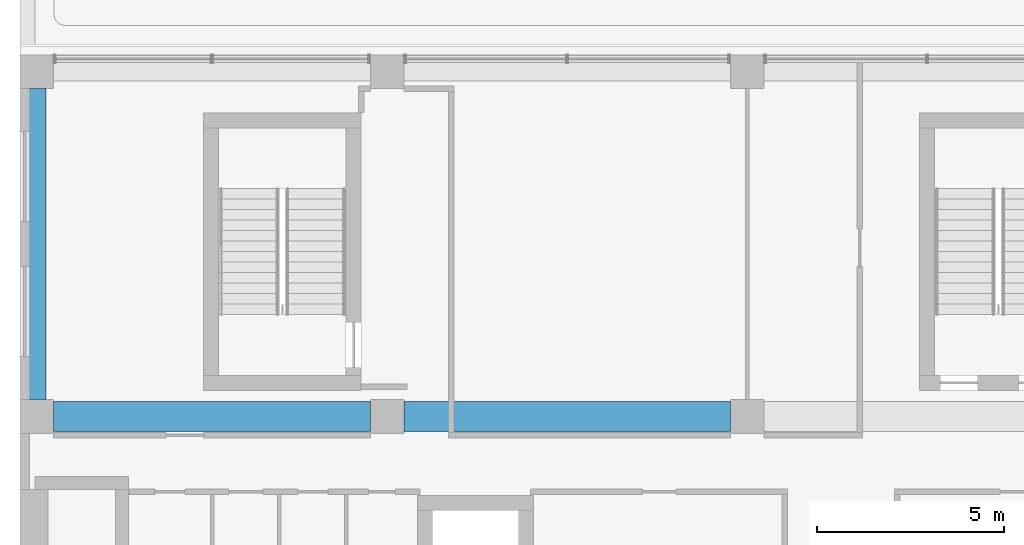
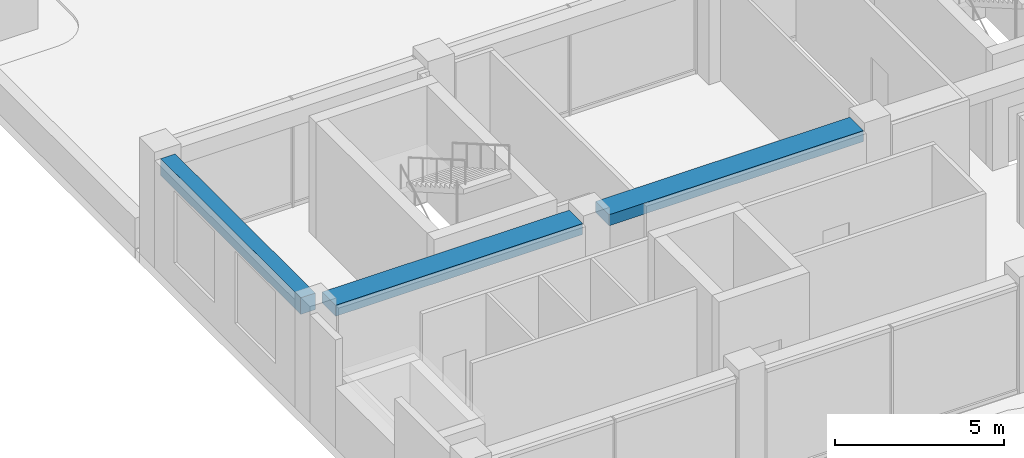
# One storey, part 20 of 72: 3 beams.
"""IFC4 building model written with IfcOpenShell, lengths in metres."""

from ifc_helpers import new_model, si_unit, direction, frame, origin, origin_2d, place, context, subcontext, project, spatial, rectangle, extrude, material, material_profile, profile_set, type_object, element, save


model = new_model("IFC4")

# Units and contexts
model_context = context("Model", 3, precision=1e-05, world=origin(), true_north=direction((0.0, 1.0)))
body_context = subcontext(model_context, "Body", "Model", "MODEL_VIEW")
ifc_project = project(units=[si_unit("LENGTHUNIT", "METRE"), si_unit("AREAUNIT", "SQUARE_METRE"), si_unit("VOLUMEUNIT", "CUBIC_METRE"), si_unit("PLANEANGLEUNIT", "RADIAN"), si_unit("MASSUNIT", "GRAM", prefix="KILO")], contexts=[model_context])

# Site, building, storey
site_placement = place(None, origin())
site = spatial("IfcSite", under=ifc_project, at=site_placement, CompositionType="ELEMENT")
building_placement = place(site_placement, origin())
building = spatial("IfcBuilding", under=site, at=building_placement, Name="Nzadi Deep Aquarium and Research Tower", CompositionType="ELEMENT")
storey_placement = place(building_placement, frame((0.0, 0.0, 31.89990234375)))
storey = spatial("IfcBuildingStorey", under=building, at=storey_placement, Name="L05", CompositionType="ELEMENT", Elevation=31.89990234375)

# Beams
ifc_material_1 = material(Name="Concrete C35/45", Category="concrete")
ifc_material_profile_1 = material_profile(ifc_material_1, rectangle(XDim=0.5, YDim=0.60009765625, at=origin_2d()))
ifc_profile_set_1 = profile_set([ifc_material_profile_1], Name="Concrete C35/45")
beam_type_1 = type_object("IfcBeamType", Name="RC 500x600", PredefinedType="BEAM", material=ifc_profile_set_1)
beam_1_placement = place(storey_placement, frame((0.25, 37.25, 3.60009765625), z_axis=(0.0, 1.0, 0.0), x_axis=(-1.0, 0.0, 0.0)))
element("IfcBeam", 1, at=beam_1_placement, inside=storey, type_object=beam_type_1, Name="B-Z1-L05-CA-2-4", PredefinedType="BEAM", context=body_context, shape_type="SweptSolid", body=[
    extrude(rectangle(XDim=0.5, YDim=0.60009765625, at=origin_2d()), origin(), (0.0, 0.0, 1.0), 8.300048828125),
])
ifc_material_2 = material(Name="Concrete C35/45", Category="concrete")
ifc_material_profile_2 = material_profile(ifc_material_2, rectangle(XDim=0.800048828125, YDim=0.39990234375, at=origin_2d()))
ifc_profile_set_2 = profile_set([ifc_material_profile_2], Name="Concrete C35/45")
beam_type_2 = type_object("IfcBeamType", Name="RC 800x400", PredefinedType="BEAM", material=ifc_profile_set_2)
beam_2_placement = place(storey_placement, frame((0.699951171875, 36.800048828125, 3.7001953125), z_axis=(1.0, 0.0, 0.0), x_axis=(0.0, 1.0, 0.0)))
element("IfcBeam", 2, at=beam_2_placement, inside=storey, type_object=beam_type_2, Name="B-Z1-L05-L5-1", PredefinedType="BEAM", context=body_context, shape_type="SweptSolid", body=[
    extrude(rectangle(XDim=0.800048828125, YDim=0.39990234375, at=origin_2d()), origin(), (0.0, 0.0, 1.0), 8.449951171875),
])
beam_3_placement = place(storey_placement, frame((10.050048828125, 36.800048828125, 3.7001953125), z_axis=(1.0, 0.0, 0.0), x_axis=(0.0, 1.0, 0.0)))
element("IfcBeam", 3, at=beam_3_placement, inside=storey, type_object=beam_type_2, Name="B-Z1-L05-L5-2", PredefinedType="BEAM", context=body_context, shape_type="SweptSolid", body=[
    extrude(rectangle(XDim=0.800048828125, YDim=0.39990234375, at=origin_2d()), origin(), (0.0, 0.0, 1.0), 8.699951171875),
])

save(model, "model.ifc")
